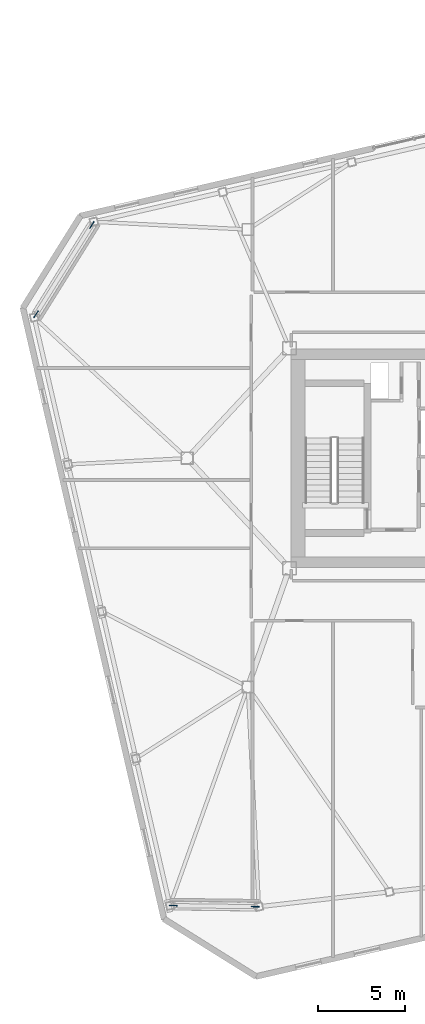
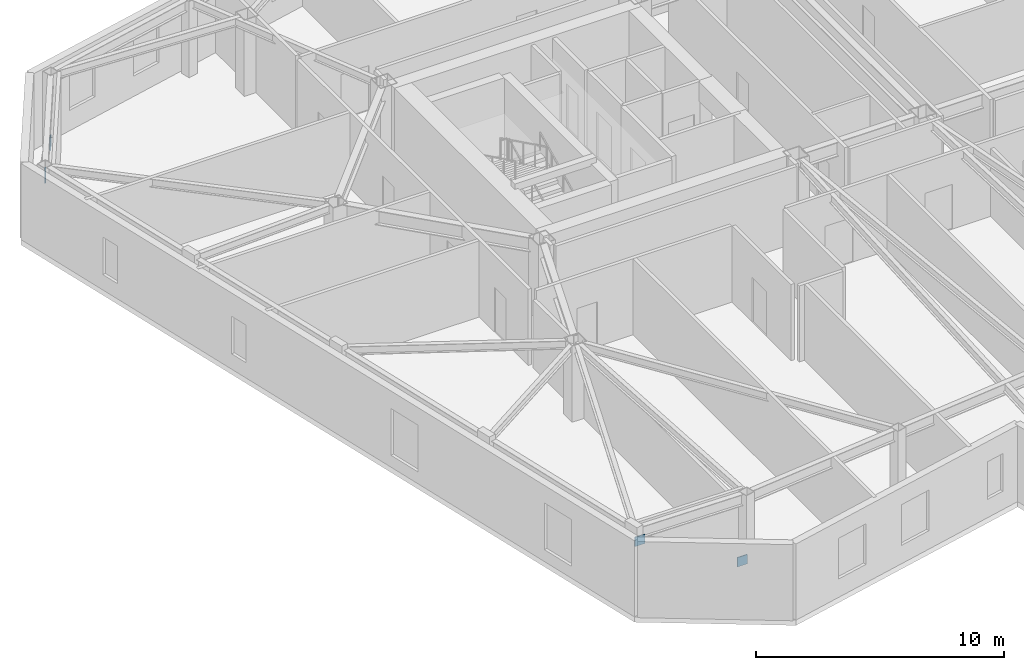
# One storey, part 19 of 21: 4 discrete accessories.
"""IFC4 building model written with IfcOpenShell, lengths in metres."""

from ifc_helpers import new_model, si_unit, direction, frame, origin, origin_2d, place, context, subcontext, project, spatial, rectangle, extrude, material, type_object, element, save


model = new_model("IFC4")

# Units and contexts
model_context = context("Model", 3, precision=1e-05, world=origin(), true_north=direction((0.0, 1.0)))
body_context = subcontext(model_context, "Body", "Model", "MODEL_VIEW")
ifc_project = project(units=[si_unit("LENGTHUNIT", "METRE"), si_unit("AREAUNIT", "SQUARE_METRE"), si_unit("VOLUMEUNIT", "CUBIC_METRE"), si_unit("PLANEANGLEUNIT", "RADIAN"), si_unit("MASSUNIT", "GRAM", prefix="KILO")], contexts=[model_context])

# Site, building, storey
site_placement = place(None, origin())
site = spatial("IfcSite", under=ifc_project, at=site_placement, CompositionType="ELEMENT")
building_placement = place(site_placement, origin())
building = spatial("IfcBuilding", under=site, at=building_placement, Name="Tavrogorsk Clinical Tower", CompositionType="ELEMENT")
storey_placement = place(building_placement, frame((0.0, 0.0, 285.0)))
storey = spatial("IfcBuildingStorey", under=building, at=storey_placement, Name="L66", CompositionType="ELEMENT", Elevation=285.0)

# Discrete accessories
ifc_material = material(Name="Structural steel S440", Category="steel")
discrete_accessory_type = type_object("IfcDiscreteAccessoryType", Name="GussetPlateBracket_25", PredefinedType="BRACKET", material=ifc_material)
for number, where, z_axis, x_axis, name in (
    (1, (-33.501708984375, 13.4638671875, 0.163330078125), (0.0, 0.0, 1.0), (-0.529919264233, -0.848048096156, 0.0), "L66 Brace Gusset Plate EXOCRN-L66-3-A"),
    (2, (-36.72265625, 8.30908203125, 2.81689453125), (0.0, 0.0, 1.0), (-0.529919264233, -0.848048096156, 0.0), "L66 Brace Gusset Plate EXOCRN-L66-3-B"),
    (3, (-24.07080078125, -25.883056640625, 0.182861328125), (0.0, 0.0, 1.0), (-0.999914327574, 0.013089595571, 0.0), "L66 Brace Gusset Plate EXOCRN-L66-4-A"),
    (4, (-28.794677734375, -25.821533203125, 2.797119140625), (0.0, 0.0, 1.0), (-0.999914327574, 0.013089595571, 0.0), "L66 Brace Gusset Plate EXOCRN-L66-4-B"),
):
    element("IfcDiscreteAccessory", number, at=place(storey_placement, frame(where, z_axis=z_axis, x_axis=x_axis)), inside=storey, type_object=discrete_accessory_type, Name=name, PredefinedType="BRACKET", context=body_context, shape_type="SweptSolid", body=[
        extrude(rectangle(XDim=0.4599609375, YDim=0.0400390625, at=origin_2d()), origin(), (0.0, 0.0, 1.0), 0.4599609375),
    ])

save(model, "model.ifc")
